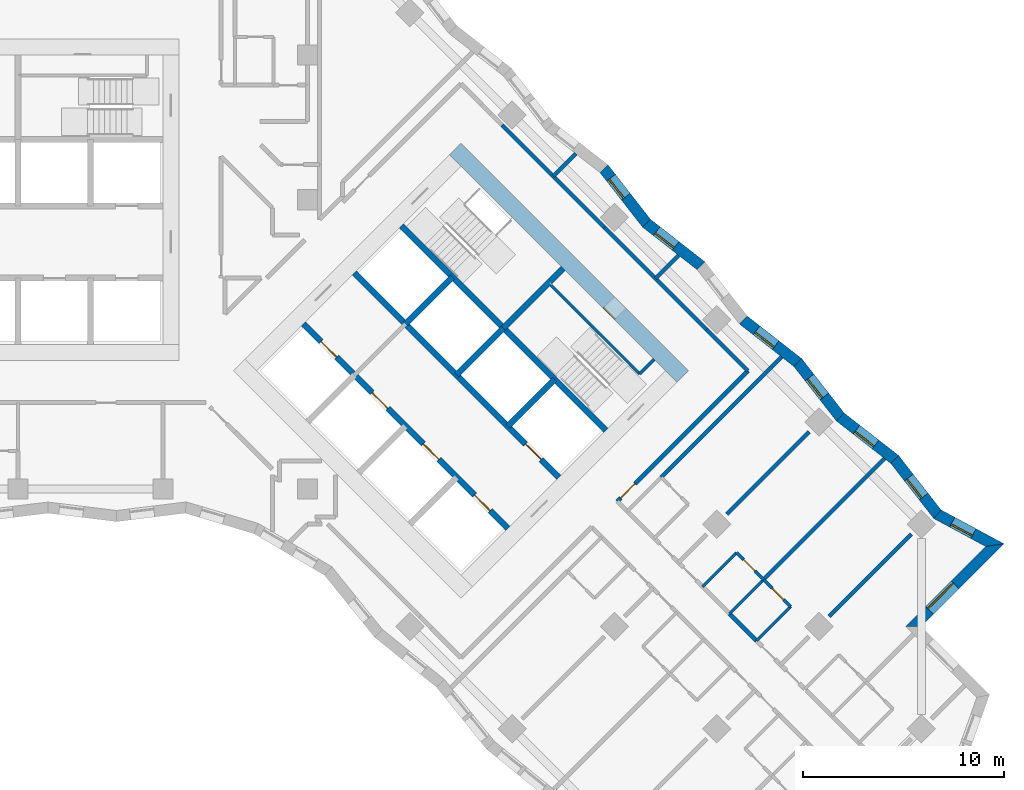
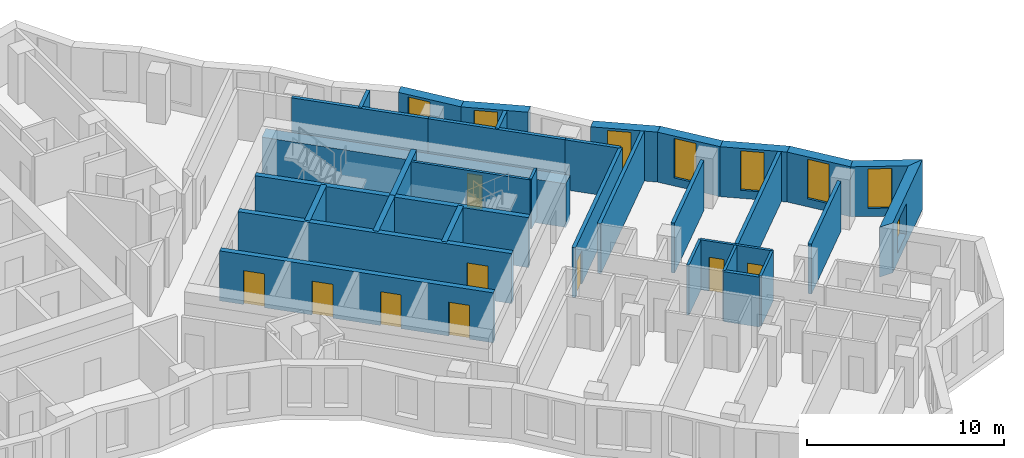
# One storey, part 10 of 13: 35 walls, 9 doors, 8 windows, 17 openings.
"""IFC4 building model written with IfcOpenShell, lengths in metres."""

from ifc_helpers import new_model, si_unit, direction, frame, frame_2d, origin, place, context, subcontext, project, spatial, polyline, rectangle, outline, extrude, material, layer, layer_set, type_object, element, fill, save


model = new_model("IFC4")

# Units and contexts
model_context = context("Model", 3, precision=1e-05, world=origin(), true_north=direction((0.0, 1.0)))
body_context = subcontext(model_context, "Body", "Model", "MODEL_VIEW")
ifc_project = project(units=[si_unit("LENGTHUNIT", "METRE"), si_unit("AREAUNIT", "SQUARE_METRE"), si_unit("VOLUMEUNIT", "CUBIC_METRE"), si_unit("PLANEANGLEUNIT", "RADIAN"), si_unit("MASSUNIT", "GRAM", prefix="KILO")], contexts=[model_context])

# Site, building, storey
site_placement = place(None, origin())
site = spatial("IfcSite", under=ifc_project, at=site_placement, CompositionType="ELEMENT")
building_placement = place(site_placement, origin())
building = spatial("IfcBuilding", under=site, at=building_placement, Name="Windrow Commons", CompositionType="ELEMENT")
storey_placement = place(building_placement, frame((0.0, 0.0, 94.8)))
storey = spatial("IfcBuildingStorey", under=building, at=storey_placement, Name="L25", CompositionType="ELEMENT", Elevation=94.8)

# Wall, opening, window
ifc_material_1 = material(Name="Brick masonry, red clay brick", Category="masonry")
ifc_layer_1 = layer(ifc_material_1, 0.55)
ifc_layer_set_1 = layer_set([ifc_layer_1], Name="Brick facade wall 550")
wall_type_1 = type_object("IfcWallType", Name="Brick facade wall 550", PredefinedType="SOLIDWALL", material=ifc_layer_set_1)
wall_1_placement = place(storey_placement, frame((109.3581, 36.3618, 0.0), z_axis=(0.0, 0.0, 1.0), x_axis=(0.7071067812, 0.7071067812, 0.0)))
wall_1 = element("IfcWall", 1, at=wall_1_placement, inside=storey, type_object=wall_type_1, Name="Brick facade wall L25 6", PredefinedType="SOLIDWALL", context=body_context, shape_type="SweptSolid", body=[
    extrude(outline(polyline([(0.275, -0.275), (6.096, -0.275), (5.3571, 0.275), (-0.275, 0.275), (0.275, -0.275)])), origin(), (0.0, 0.0, 1.0), 3.1),
])
opening_1_placement = place(wall_1_placement, frame((1.1375, 0.0, 0.6)))
opening_1 = element("IfcOpeningElement", 2, at=opening_1_placement, cuts=wall_1, Name="Opening W1L", PredefinedType="OPENING", context=body_context, shape_type="SweptSolid", body=[
    extrude(rectangle(XDim=1.8, YDim=1.9, at=frame_2d((0.9, 0.95))), frame((0.0, 0.285, 0.0), z_axis=(0.0, -1.0, 0.0), x_axis=(1.0, 0.0, 0.0)), (0.0, 0.0, 1.0), 0.57),
])
ifc_material_2 = material(Name="Clear float glass in anodised aluminium frame", Category="aluminium")
window_type_1 = type_object("IfcWindowType", Name="Window W1L bedroom 1800x1900", PartitioningType="SINGLE_PANEL", PredefinedType="WINDOW", material=ifc_material_2)
window_1_placement = place(opening_1_placement, origin())
window_1 = element("IfcWindow", 3, at=window_1_placement, inside=storey, type_object=window_type_1, Name="Window L25 6.1", OverallHeight=1.9, OverallWidth=1.8, PartitioningType="SINGLE_PANEL", PredefinedType="WINDOW", context=body_context, shape_type="SweptSolid", body=[
    extrude(rectangle(XDim=1.8, YDim=1.9, at=frame_2d((0.9, 0.95))), frame((0.0, 0.155, 0.0), z_axis=(0.0, -1.0, 0.0), x_axis=(1.0, 0.0, 0.0)), (0.0, 0.0, 1.0), 0.06),
])
fill(opening_1, window_1)

wall_2_placement = place(storey_placement, frame((113.4074, 40.4111, 0.0), z_axis=(0.0, 0.0, 1.0), x_axis=(-0.8802801365, 0.4744542985, 0.0)))
wall_2 = element("IfcWall", 4, at=wall_2_placement, inside=storey, type_object=wall_type_1, Name="Brick facade wall L25 7", PredefinedType="SOLIDWALL", context=body_context, shape_type="SweptSolid", body=[
    extrude(outline(polyline([(-0.3694, -0.275), (3.1888, -0.275), (3.3042, 0.275), (0.3694, 0.275), (-0.3694, -0.275)])), origin(), (0.0, 0.0, 1.0), 3.1),
])
opening_2_placement = place(wall_2_placement, frame((1.208, 0.0, 0.5)))
opening_2 = element("IfcOpeningElement", 5, at=opening_2_placement, cuts=wall_2, Name="Opening W7D", PredefinedType="OPENING", context=body_context, shape_type="SweptSolid", body=[
    extrude(rectangle(XDim=1.2, YDim=2.45, at=frame_2d((0.6, 1.225))), frame((0.0, 0.285, 0.0), z_axis=(0.0, -1.0, 0.0), x_axis=(1.0, 0.0, 0.0)), (0.0, 0.0, 1.0), 0.57),
])
ifc_material_3 = material(Name="Clear float glass in anodised aluminium frame", Category="aluminium")
window_type_2 = type_object("IfcWindowType", Name="Window W7 notch 1200x2450", PartitioningType="SINGLE_PANEL", PredefinedType="WINDOW", material=ifc_material_3)
window_2_placement = place(opening_2_placement, origin())
window_2 = element("IfcWindow", 6, at=window_2_placement, inside=storey, type_object=window_type_2, Name="Window L25 7.1", OverallHeight=2.45, OverallWidth=1.2, PartitioningType="SINGLE_PANEL", PredefinedType="WINDOW", context=body_context, shape_type="SweptSolid", body=[
    extrude(rectangle(XDim=1.2, YDim=2.45, at=frame_2d((0.6, 1.225))), frame((0.0, 0.155, 0.0), z_axis=(0.0, -1.0, 0.0), x_axis=(1.0, 0.0, 0.0)), (0.0, 0.0, 1.0), 0.06),
])
fill(opening_2, window_2)

wall_3_placement = place(storey_placement, frame((110.5496, 41.9514, 0.0), z_axis=(0.0, 0.0, 1.0), x_axis=(-0.6150990344, 0.7884498576, 0.0)))
wall_3 = element("IfcWall", 7, at=wall_3_placement, inside=storey, type_object=wall_type_1, Name="Brick facade wall L25 8", PredefinedType="SOLIDWALL", context=body_context, shape_type="SweptSolid", body=[
    extrude(outline(polyline([(0.0577, -0.275), (3.4922, -0.275), (3.4243, 0.275), (-0.0577, 0.275), (0.0577, -0.275)])), origin(), (0.0, 0.0, 1.0), 3.1),
])
opening_3_placement = place(wall_3_placement, frame((1.1121, 0.0, 0.5)))
opening_3 = element("IfcOpeningElement", 8, at=opening_3_placement, cuts=wall_3, Name="Opening W7D", PredefinedType="OPENING", context=body_context, shape_type="SweptSolid", body=[
    extrude(rectangle(XDim=1.2, YDim=2.45, at=frame_2d((0.6, 1.225))), frame((0.0, 0.285, 0.0), z_axis=(0.0, -1.0, 0.0), x_axis=(1.0, 0.0, 0.0)), (0.0, 0.0, 1.0), 0.57),
])
window_3_placement = place(opening_3_placement, origin())
window_3 = element("IfcWindow", 9, at=window_3_placement, inside=storey, type_object=window_type_2, Name="Window L25 8.1", OverallHeight=2.45, OverallWidth=1.2, PartitioningType="SINGLE_PANEL", PredefinedType="WINDOW", context=body_context, shape_type="SweptSolid", body=[
    extrude(rectangle(XDim=1.2, YDim=2.45, at=frame_2d((0.6, 1.225))), frame((0.0, 0.155, 0.0), z_axis=(0.0, -1.0, 0.0), x_axis=(1.0, 0.0, 0.0)), (0.0, 0.0, 1.0), 0.06),
])
fill(opening_3, window_3)

wall_4_placement = place(storey_placement, frame((108.4224, 44.6781, 0.0), z_axis=(0.0, 0.0, 1.0), x_axis=(-0.788454577, 0.6150929849, 0.0)))
wall_4 = element("IfcWall", 10, at=wall_4_placement, inside=storey, type_object=wall_type_1, Name="Brick facade wall L25 9", PredefinedType="SOLIDWALL", context=body_context, shape_type="SweptSolid", body=[
    extrude(outline(polyline([(-0.034, -0.275), (3.4005, -0.275), (3.4684, 0.275), (0.034, 0.275), (-0.034, -0.275)])), origin(), (0.0, 0.0, 1.0), 3.1),
])
opening_4_placement = place(wall_4_placement, frame((1.2101, 0.0, 0.5)))
opening_4 = element("IfcOpeningElement", 11, at=opening_4_placement, cuts=wall_4, Name="Opening W7D", PredefinedType="OPENING", context=body_context, shape_type="SweptSolid", body=[
    extrude(rectangle(XDim=1.2, YDim=2.45, at=frame_2d((0.6, 1.225))), frame((0.0, 0.285, 0.0), z_axis=(0.0, -1.0, 0.0), x_axis=(1.0, 0.0, 0.0)), (0.0, 0.0, 1.0), 0.57),
])
window_4_placement = place(opening_4_placement, origin())
window_4 = element("IfcWindow", 12, at=window_4_placement, inside=storey, type_object=window_type_2, Name="Window L25 9.1", OverallHeight=2.45, OverallWidth=1.2, PartitioningType="SINGLE_PANEL", PredefinedType="WINDOW", context=body_context, shape_type="SweptSolid", body=[
    extrude(rectangle(XDim=1.2, YDim=2.45, at=frame_2d((0.6, 1.225))), frame((0.0, 0.155, 0.0), z_axis=(0.0, -1.0, 0.0), x_axis=(1.0, 0.0, 0.0)), (0.0, 0.0, 1.0), 0.06),
])
fill(opening_4, window_4)

wall_5_placement = place(storey_placement, frame((105.7145, 46.7906, 0.0), z_axis=(0.0, 0.0, 1.0), x_axis=(-0.6150788643, 0.7884655926, 0.0)))
wall_5 = element("IfcWall", 13, at=wall_5_placement, inside=storey, type_object=wall_type_1, Name="Brick facade wall L25 10", PredefinedType="SOLIDWALL", context=body_context, shape_type="SweptSolid", body=[
    extrude(outline(polyline([(0.034, -0.275), (3.4684, -0.275), (3.4005, 0.275), (-0.034, 0.275), (0.034, -0.275)])), origin(), (0.0, 0.0, 1.0), 3.1),
])
opening_5_placement = place(wall_5_placement, frame((1.2896, 0.0, 0.5)))
opening_5 = element("IfcOpeningElement", 14, at=opening_5_placement, cuts=wall_5, Name="Opening W7D", PredefinedType="OPENING", context=body_context, shape_type="SweptSolid", body=[
    extrude(rectangle(XDim=1.2, YDim=2.45, at=frame_2d((0.6, 1.225))), frame((0.0, 0.285, 0.0), z_axis=(0.0, -1.0, 0.0), x_axis=(1.0, 0.0, 0.0)), (0.0, 0.0, 1.0), 0.57),
])
window_5_placement = place(opening_5_placement, origin())
window_5 = element("IfcWindow", 15, at=window_5_placement, inside=storey, type_object=window_type_2, Name="Window L25 10.1", OverallHeight=2.45, OverallWidth=1.2, PartitioningType="SINGLE_PANEL", PredefinedType="WINDOW", context=body_context, shape_type="SweptSolid", body=[
    extrude(rectangle(XDim=1.2, YDim=2.45, at=frame_2d((0.6, 1.225))), frame((0.0, 0.155, 0.0), z_axis=(0.0, -1.0, 0.0), x_axis=(1.0, 0.0, 0.0)), (0.0, 0.0, 1.0), 0.06),
])
fill(opening_5, window_5)

wall_6_placement = place(storey_placement, frame((103.602, 49.4986, 0.0), z_axis=(0.0, 0.0, 1.0), x_axis=(-0.788454577, 0.6150929849, 0.0)))
wall_6 = element("IfcWall", 16, at=wall_6_placement, inside=storey, type_object=wall_type_1, Name="Brick facade wall L25 11", PredefinedType="SOLIDWALL", context=body_context, shape_type="SweptSolid", body=[
    extrude(outline(polyline([(-0.034, -0.275), (3.4005, -0.275), (3.4684, 0.275), (0.034, 0.275), (-0.034, -0.275)])), origin(), (0.0, 0.0, 1.0), 3.1),
])
opening_6_placement = place(wall_6_placement, frame((1.403, 0.0, 0.5)))
opening_6 = element("IfcOpeningElement", 17, at=opening_6_placement, cuts=wall_6, Name="Opening W7D", PredefinedType="OPENING", context=body_context, shape_type="SweptSolid", body=[
    extrude(rectangle(XDim=1.2, YDim=2.45, at=frame_2d((0.6, 1.225))), frame((0.0, 0.285, 0.0), z_axis=(0.0, -1.0, 0.0), x_axis=(1.0, 0.0, 0.0)), (0.0, 0.0, 1.0), 0.57),
])
window_6_placement = place(opening_6_placement, origin())
window_6 = element("IfcWindow", 18, at=window_6_placement, inside=storey, type_object=window_type_2, Name="Window L25 11.1", OverallHeight=2.45, OverallWidth=1.2, PartitioningType="SINGLE_PANEL", PredefinedType="WINDOW", context=body_context, shape_type="SweptSolid", body=[
    extrude(rectangle(XDim=1.2, YDim=2.45, at=frame_2d((0.6, 1.225))), frame((0.0, 0.155, 0.0), z_axis=(0.0, -1.0, 0.0), x_axis=(1.0, 0.0, 0.0)), (0.0, 0.0, 1.0), 0.06),
])
fill(opening_6, window_6)

wall_7_placement = place(storey_placement, frame((98.7816, 54.319, 0.0), z_axis=(0.0, 0.0, 1.0), x_axis=(-0.7884655926, 0.6150788643, 0.0)))
wall_7 = element("IfcWall", 19, at=wall_7_placement, inside=storey, type_object=wall_type_1, Name="Brick facade wall L25 13", PredefinedType="SOLIDWALL", context=body_context, shape_type="SweptSolid", body=[
    extrude(outline(polyline([(-0.034, -0.275), (3.4005, -0.275), (3.4684, 0.275), (0.034, 0.275), (-0.034, -0.275)])), origin(), (0.0, 0.0, 1.0), 3.1),
])
opening_7_placement = place(wall_7_placement, frame((1.5959, 0.0, 0.5)))
opening_7 = element("IfcOpeningElement", 20, at=opening_7_placement, cuts=wall_7, Name="Opening W7D", PredefinedType="OPENING", context=body_context, shape_type="SweptSolid", body=[
    extrude(rectangle(XDim=1.2, YDim=2.45, at=frame_2d((0.6, 1.225))), frame((0.0, 0.285, 0.0), z_axis=(0.0, -1.0, 0.0), x_axis=(1.0, 0.0, 0.0)), (0.0, 0.0, 1.0), 0.57),
])
window_7_placement = place(opening_7_placement, origin())
window_7 = element("IfcWindow", 21, at=window_7_placement, inside=storey, type_object=window_type_2, Name="Window L25 13.1", OverallHeight=2.45, OverallWidth=1.2, PartitioningType="SINGLE_PANEL", PredefinedType="WINDOW", context=body_context, shape_type="SweptSolid", body=[
    extrude(rectangle(XDim=1.2, YDim=2.45, at=frame_2d((0.6, 1.225))), frame((0.0, 0.155, 0.0), z_axis=(0.0, -1.0, 0.0), x_axis=(1.0, 0.0, 0.0)), (0.0, 0.0, 1.0), 0.06),
])
fill(opening_7, window_7)

wall_8_placement = place(storey_placement, frame((96.0736, 56.4315, 0.0), z_axis=(0.0, 0.0, 1.0), x_axis=(-0.6150788643, 0.7884655926, 0.0)))
wall_8 = element("IfcWall", 22, at=wall_8_placement, inside=storey, type_object=wall_type_1, Name="Brick facade wall L25 14", PredefinedType="SOLIDWALL", context=body_context, shape_type="SweptSolid", body=[
    extrude(outline(polyline([(0.034, -0.275), (3.4684, -0.275), (3.4005, 0.275), (-0.034, 0.275), (0.034, -0.275)])), origin(), (0.0, 0.0, 1.0), 3.1),
])
opening_8_placement = place(wall_8_placement, frame((1.6754, 0.0, 0.5)))
opening_8 = element("IfcOpeningElement", 23, at=opening_8_placement, cuts=wall_8, Name="Opening W7D", PredefinedType="OPENING", context=body_context, shape_type="SweptSolid", body=[
    extrude(rectangle(XDim=1.2, YDim=2.45, at=frame_2d((0.6, 1.225))), frame((0.0, 0.285, 0.0), z_axis=(0.0, -1.0, 0.0), x_axis=(1.0, 0.0, 0.0)), (0.0, 0.0, 1.0), 0.57),
])
window_8_placement = place(opening_8_placement, origin())
window_8 = element("IfcWindow", 24, at=window_8_placement, inside=storey, type_object=window_type_2, Name="Window L25 14.1", OverallHeight=2.45, OverallWidth=1.2, PartitioningType="SINGLE_PANEL", PredefinedType="WINDOW", context=body_context, shape_type="SweptSolid", body=[
    extrude(rectangle(XDim=1.2, YDim=2.45, at=frame_2d((0.6, 1.225))), frame((0.0, 0.155, 0.0), z_axis=(0.0, -1.0, 0.0), x_axis=(1.0, 0.0, 0.0)), (0.0, 0.0, 1.0), 0.06),
])
fill(opening_8, window_8)

# Wall, opening, door
ifc_material_4 = material(Name="Blockwork partition", Category="masonry")
ifc_layer_2 = layer(ifc_material_4, 0.2)
ifc_layer_set_2 = layer_set([ifc_layer_2], Name="IW-CORRIDOR-200")
wall_type_2 = type_object("IfcWallType", Name="IW-CORRIDOR-200", PredefinedType="PARTITIONING", material=ifc_layer_set_2)
wall_9_placement = place(storey_placement, frame((94.6155, 42.5865, 0.0), z_axis=(0.0, 0.0, 1.0), x_axis=(0.7071067812, 0.7071067812, 0.0)))
wall_9 = element("IfcWall", 25, at=wall_9_placement, inside=storey, type_object=wall_type_2, Name="W-L25-W008", PredefinedType="PARTITIONING", context=body_context, shape_type="SweptSolid", body=[
    extrude(rectangle(XDim=9.198, YDim=0.2, at=frame_2d((4.599, 0.0))), origin(), (0.0, 0.0, 1.0), 3.1),
])
opening_9_placement = place(wall_9_placement, frame((0.2485, 0.0, 0.0)))
opening_9 = element("IfcOpeningElement", 26, at=opening_9_placement, cuts=wall_9, Name="Opening D310F", PredefinedType="OPENING", context=body_context, shape_type="SweptSolid", body=[
    extrude(rectangle(XDim=1.0, YDim=2.1, at=frame_2d((0.5, 1.05))), frame((0.0, 0.11, 0.0), z_axis=(0.0, -1.0, 0.0), x_axis=(1.0, 0.0, 0.0)), (0.0, 0.0, 1.0), 0.22),
])
ifc_material_5 = material(Name="Timber door leaf", Category="wood")
door_type_1 = type_object("IfcDoorType", Name="DT-AMENITY-1000", OperationType="SINGLE_SWING_LEFT", PredefinedType="DOOR", material=ifc_material_5)
door_1_placement = place(opening_9_placement, origin())
door_1 = element("IfcDoor", 27, at=door_1_placement, inside=storey, type_object=door_type_1, Name="D-L25-D047", OperationType="SINGLE_SWING_RIGHT", OverallHeight=2.1, OverallWidth=1.0, PredefinedType="DOOR", context=body_context, shape_type="SweptSolid", body=[
    extrude(rectangle(XDim=1.0, YDim=2.1, at=frame_2d((0.5, 1.05))), frame((0.0, 0.025, 0.0), z_axis=(0.0, -1.0, 0.0), x_axis=(1.0, 0.0, 0.0)), (0.0, 0.0, 1.0), 0.05),
])
fill(opening_9, door_1)

# Walls
wall_10_placement = place(storey_placement, frame((88.8888, 61.3148, 0.0), z_axis=(0.0, 0.0, 1.0), x_axis=(0.7071067812, -0.7071067812, 0.0)))
element("IfcWall", 28, at=wall_10_placement, inside=storey, type_object=wall_type_2, Name="W-L25-W019", PredefinedType="PARTITIONING", context=body_context, shape_type="SweptSolid", body=[
    extrude(rectangle(XDim=7.187, YDim=0.2, at=frame_2d((3.5935, 0.0))), origin(), (0.0, 0.0, 1.0), 3.1),
])
wall_11_placement = place(storey_placement, frame((93.9808, 56.2228, 0.0), z_axis=(0.0, 0.0, 1.0), x_axis=(0.7071067812, -0.7071067812, 0.0)))
element("IfcWall", 29, at=wall_11_placement, inside=storey, type_object=wall_type_2, Name="W-L25-W020", PredefinedType="PARTITIONING", context=body_context, shape_type="SweptSolid", body=[
    extrude(rectangle(XDim=7.1842, YDim=0.2, at=frame_2d((3.5921, 0.0))), origin(), (0.0, 0.0, 1.0), 3.1),
])
wall_12_placement = place(storey_placement, frame((99.0708, 51.1328, 0.0), z_axis=(0.0, 0.0, 1.0), x_axis=(0.7071067812, -0.7071067812, 0.0)))
element("IfcWall", 30, at=wall_12_placement, inside=storey, type_object=wall_type_2, Name="W-L25-W062", PredefinedType="PARTITIONING", context=body_context, shape_type="SweptSolid", body=[
    extrude(rectangle(XDim=2.8935, YDim=0.2, at=frame_2d((1.4467, 0.0))), origin(), (0.0, 0.0, 1.0), 3.1),
])
wall_13_placement = place(storey_placement, frame((100.2008, 36.9968, 0.0), z_axis=(0.0, 0.0, 1.0), x_axis=(0.7076330979, -0.7065800724, 0.0)))
element("IfcWall", 31, at=wall_13_placement, inside=storey, type_object=wall_type_2, Name="W-L25-W147", PredefinedType="PARTITIONING", context=body_context, shape_type="SweptSolid", body=[
    extrude(rectangle(XDim=1.8993, YDim=0.2, at=frame_2d((0.9496, 0.0))), origin(), (0.0, 0.0, 1.0), 3.1),
])
ifc_material_6 = material(Name="Blockwork partition", Category="masonry")
ifc_layer_3 = layer(ifc_material_6, 0.15)
ifc_layer_set_3 = layer_set([ifc_layer_3], Name="IW-ENSUITE-150")
wall_type_3 = type_object("IfcWallType", Name="IW-ENSUITE-150", PredefinedType="PARTITIONING", material=ifc_layer_set_3)
wall_14_placement = place(storey_placement, frame((100.2026, 36.9974, 0.0), z_axis=(0.0, 0.0, 1.0), x_axis=(0.706689978, 0.7075233388, 0.0)))
element("IfcWall", 32, at=wall_14_placement, inside=storey, type_object=wall_type_3, Name="W-L25-W102", PredefinedType="PARTITIONING", context=body_context, shape_type="SweptSolid", body=[
    extrude(rectangle(XDim=2.3999, YDim=0.15, at=frame_2d((1.2, 0.0))), origin(), (0.0, 0.0, 1.0), 3.1),
])
for number, where, z_axis, x_axis, name in (
    (33, (98.8571, 38.3429, 0.0), (0.0, 0.0, 1.0), (0.7071067812, 0.7071067812, 0.0), "W-L25-W107"),
    (34, (101.5451, 35.6569, 0.0), (0.0, 0.0, 1.0), (0.7071067812, 0.7071067812, 0.0), "W-L25-W108"),
):
    element("IfcWall", number, at=place(storey_placement, frame(where, z_axis=z_axis, x_axis=x_axis)), inside=storey, type_object=wall_type_3, Name=name, PredefinedType="PARTITIONING", context=body_context, shape_type="SweptSolid", body=[
        extrude(rectangle(XDim=2.3985, YDim=0.15, at=frame_2d((1.1992, 0.0))), origin(), (0.0, 0.0, 1.0), 3.1),
    ])

# Wall, opening, door
wall_15_placement = place(storey_placement, frame((101.8945, 38.6925, 0.0), z_axis=(0.0, 0.0, 1.0), x_axis=(0.7071067812, -0.7071067812, 0.0)))
wall_15 = element("IfcWall", 35, at=wall_15_placement, inside=storey, type_object=wall_type_3, Name="W-L25-W132", PredefinedType="PARTITIONING", context=body_context, shape_type="SweptSolid", body=[
    extrude(rectangle(XDim=1.9007, YDim=0.15, at=frame_2d((0.9504, 0.0))), origin(), (0.0, 0.0, 1.0), 3.1),
])
opening_10_placement = place(wall_15_placement, frame((0.6075, 0.0, 0.0)))
opening_10 = element("IfcOpeningElement", 36, at=opening_10_placement, cuts=wall_15, Name="Opening D208N", PredefinedType="OPENING", context=body_context, shape_type="SweptSolid", body=[
    extrude(rectangle(XDim=0.8, YDim=2.1, at=frame_2d((0.4, 1.05))), frame((0.0, 0.085, 0.0), z_axis=(0.0, -1.0, 0.0), x_axis=(1.0, 0.0, 0.0)), (0.0, 0.0, 1.0), 0.17),
])
ifc_material_7 = material(Name="Timber door leaf", Category="wood")
door_type_2 = type_object("IfcDoorType", Name="DT-ENSUITE-800", OperationType="SINGLE_SWING_LEFT", PredefinedType="DOOR", material=ifc_material_7)
door_2_placement = place(opening_10_placement, origin())
door_2 = element("IfcDoor", 37, at=door_2_placement, inside=storey, type_object=door_type_2, Name="D-L25-D053", OperationType="SINGLE_SWING_RIGHT", OverallHeight=2.1, OverallWidth=0.8, PredefinedType="DOOR", context=body_context, shape_type="SweptSolid", body=[
    extrude(rectangle(XDim=0.8, YDim=2.1, at=frame_2d((0.4, 1.05))), frame((0.0, 0.025, 0.0), z_axis=(0.0, -1.0, 0.0), x_axis=(1.0, 0.0, 0.0)), (0.0, 0.0, 1.0), 0.05),
])
fill(opening_10, door_2)

wall_16_placement = place(storey_placement, frame((100.5528, 40.0368, 0.0), z_axis=(0.0, 0.0, 1.0), x_axis=(0.7076330979, -0.7065800724, 0.0)))
wall_16 = element("IfcWall", 38, at=wall_16_placement, inside=storey, type_object=wall_type_3, Name="W-L25-W145", PredefinedType="PARTITIONING", context=body_context, shape_type="SweptSolid", body=[
    extrude(rectangle(XDim=1.8993, YDim=0.15, at=frame_2d((0.9496, 0.0))), origin(), (0.0, 0.0, 1.0), 3.1),
])
opening_11_placement = place(wall_16_placement, frame((0.493, 0.0, 0.0)))
opening_11 = element("IfcOpeningElement", 39, at=opening_11_placement, cuts=wall_16, Name="Opening D208N", PredefinedType="OPENING", context=body_context, shape_type="SweptSolid", body=[
    extrude(rectangle(XDim=0.8, YDim=2.1, at=frame_2d((0.4, 1.05))), frame((0.0, 0.085, 0.0), z_axis=(0.0, -1.0, 0.0), x_axis=(1.0, 0.0, 0.0)), (0.0, 0.0, 1.0), 0.17),
])
door_3_placement = place(opening_11_placement, origin())
door_3 = element("IfcDoor", 40, at=door_3_placement, inside=storey, type_object=door_type_2, Name="D-L25-D051", OperationType="SINGLE_SWING_RIGHT", OverallHeight=2.1, OverallWidth=0.8, PredefinedType="DOOR", context=body_context, shape_type="SweptSolid", body=[
    extrude(rectangle(XDim=0.8, YDim=2.1, at=frame_2d((0.4, 1.05))), frame((0.0, 0.025, 0.0), z_axis=(0.0, -1.0, 0.0), x_axis=(1.0, 0.0, 0.0)), (0.0, 0.0, 1.0), 0.05),
])
fill(opening_11, door_3)

# Walls
ifc_material_8 = material(Name="Blockwork partition", Category="masonry")
ifc_layer_4 = layer(ifc_material_8, 0.2)
ifc_layer_set_4 = layer_set([ifc_layer_4], Name="IW-PARTY-200")
wall_type_4 = type_object("IfcWallType", Name="IW-PARTY-200", PredefinedType="PARTITIONING", material=ifc_layer_set_4)
wall_17_placement = place(storey_placement, frame((101.8958, 38.6982, 0.0), z_axis=(0.0, 0.0, 1.0), x_axis=(0.7072241589, 0.706989384, 0.0)))
element("IfcWall", 41, at=wall_17_placement, inside=storey, type_object=wall_type_4, Name="W-L25-W010", PredefinedType="PARTITIONING", context=body_context, shape_type="SweptSolid", body=[
    extrude(rectangle(XDim=8.5188, YDim=0.2, at=frame_2d((4.2594, 0.0))), origin(), (0.0, 0.0, 1.0), 3.1),
])
wall_18_placement = place(storey_placement, frame((96.8054, 43.7866, 0.0), z_axis=(0.0, 0.0, 1.0), x_axis=(0.7071126822, 0.7071008801, 0.0)))
element("IfcWall", 42, at=wall_18_placement, inside=storey, type_object=wall_type_4, Name="W-L25-W011", PredefinedType="PARTITIONING", context=body_context, shape_type="SweptSolid", body=[
    extrude(rectangle(XDim=8.473, YDim=0.2, at=frame_2d((4.2365, 0.0))), origin(), (0.0, 0.0, 1.0), 3.1),
])
for number, where, z_axis, x_axis, name in (
    (43, (105.1552, 36.8628, 0.0), (0.0, 0.0, 1.0), (0.7071067812, 0.7071067812, 0.0), "W-L25-W038"),
    (44, (100.063, 41.953, 0.0), (0.0, 0.0, 1.0), (0.7071067812, 0.7071067812, 0.0), "W-L25-W039"),
):
    element("IfcWall", number, at=place(storey_placement, frame(where, z_axis=z_axis, x_axis=x_axis)), inside=storey, type_object=wall_type_4, Name=name, PredefinedType="PARTITIONING", context=body_context, shape_type="SweptSolid", body=[
        extrude(rectangle(XDim=5.787, YDim=0.2, at=frame_2d((2.8935, 0.0))), origin(), (0.0, 0.0, 1.0), 3.1),
    ])
wall_19_placement = place(storey_placement, frame((96.5233, 53.6867, 0.0), z_axis=(0.0, 0.0, 1.0), x_axis=(0.7070760086, 0.7071375524, 0.0)))
element("IfcWall", 45, at=wall_19_placement, inside=storey, type_object=wall_type_4, Name="W-L25-W160", PredefinedType="PARTITIONING", context=body_context, shape_type="SweptSolid", body=[
    extrude(rectangle(XDim=1.6249, YDim=0.2, at=frame_2d((0.8125, 0.0))), origin(), (0.0, 0.0, 1.0), 3.1),
])
wall_20_placement = place(storey_placement, frame((91.4321, 58.7779, 0.0), z_axis=(0.0, 0.0, 1.0), x_axis=(0.7071067812, 0.7071067812, 0.0)))
element("IfcWall", 46, at=wall_20_placement, inside=storey, type_object=wall_type_4, Name="W-L25-W163", PredefinedType="PARTITIONING", context=body_context, shape_type="SweptSolid", body=[
    extrude(rectangle(XDim=1.5776, YDim=0.2, at=frame_2d((0.7888, 0.0))), origin(), (0.0, 0.0, 1.0), 3.1),
])

# Wall, opening, door
ifc_material_9 = material(Name="Concrete C50/60", Category="concrete")
ifc_layer_5 = layer(ifc_material_9, 0.8)
ifc_layer_set_5 = layer_set([ifc_layer_5], Name="RC CORE WALL 800 C50/60")
wall_type_5 = type_object("IfcWallType", Name="RC CORE WALL 800 C50/60", PredefinedType="SHEAR", material=ifc_layer_set_5)
wall_21_placement = place(storey_placement, frame((86.5539, 60.1206, -0.3), z_axis=(0.0, 0.0, 1.0), x_axis=(0.7071067812, -0.7071067812, 0.0)))
wall_21 = element("IfcWall", 47, at=wall_21_placement, inside=storey, type_object=wall_type_5, Name="Core B wall outer-N", PredefinedType="SHEAR", context=body_context, shape_type="SweptSolid", body=[
    extrude(rectangle(XDim=16.0, YDim=0.8, at=frame_2d((8.0, 0.0))), origin(), (0.0, 0.0, 1.0), 2.7),
])
opening_12_placement = place(wall_21_placement, frame((10.8, 0.0, 0.3)))
opening_12 = element("IfcOpeningElement", 48, at=opening_12_placement, cuts=wall_21, Name="Opening D9", PredefinedType="OPENING", context=body_context, shape_type="SweptSolid", body=[
    extrude(rectangle(XDim=0.8, YDim=2.1, at=frame_2d((0.4, 1.05))), frame((0.0, 0.41, 0.0), z_axis=(0.0, -1.0, 0.0), x_axis=(1.0, 0.0, 0.0)), (0.0, 0.0, 1.0), 0.82),
])
ifc_material_10 = material(Name="Steel fire door leaf", Category="steel")
door_type_3 = type_object("IfcDoorType", Name="Riser access door 800", OperationType="SINGLE_SWING_LEFT", PredefinedType="DOOR", material=ifc_material_10)
door_4_placement = place(opening_12_placement, origin())
door_4 = element("IfcDoor", 49, at=door_4_placement, inside=storey, type_object=door_type_3, Name="Riser access door", OperationType="SINGLE_SWING_RIGHT", OverallHeight=2.1, OverallWidth=0.8, PredefinedType="DOOR", context=body_context, shape_type="SweptSolid", body=[
    extrude(rectangle(XDim=0.8, YDim=2.1, at=frame_2d((0.4, 1.05))), frame((0.0, -0.34, 0.0), z_axis=(0.0, -1.0, 0.0), x_axis=(1.0, 0.0, 0.0)), (0.0, 0.0, 1.0), 0.05),
])
fill(opening_12, door_4)

# Walls
ifc_material_11 = material(Name="Concrete C50/60", Category="concrete")
ifc_layer_6 = layer(ifc_material_11, 0.3)
ifc_layer_set_6 = layer_set([ifc_layer_6], Name="RC SHAFT WALL 300 C50/60")
wall_type_6 = type_object("IfcWallType", Name="RC SHAFT WALL 300 C50/60", PredefinedType="SOLIDWALL", material=ifc_layer_set_6)
wall_22_placement = place(storey_placement, frame((84.079, 51.4232, 0.0), z_axis=(0.0, 0.0, 1.0), x_axis=(0.7071219326, 0.7070916295, 0.0)))
element("IfcWall", 50, at=wall_22_placement, inside=storey, type_object=wall_type_6, Name="Core B wall shaft-N1", PredefinedType="SOLIDWALL", context=body_context, shape_type="SweptSolid", body=[
    extrude(rectangle(XDim=3.3, YDim=0.3, at=frame_2d((1.65, 0.0))), origin(), (0.0, 0.0, 1.0), 3.1),
])
for number, where, z_axis, x_axis, name in (
    (51, (86.6246, 48.8776, 0.0), (0.0, 0.0, 1.0), (0.7071067812, 0.7071067812, 0.0), "Core B wall shaft-N2"),
    (52, (89.1702, 46.332, 0.0), (0.0, 0.0, 1.0), (0.7071067812, 0.7071067812, 0.0), "Core B wall shaft-N3"),
):
    element("IfcWall", number, at=place(storey_placement, frame(where, z_axis=z_axis, x_axis=x_axis)), inside=storey, type_object=wall_type_6, Name=name, PredefinedType="SOLIDWALL", context=body_context, shape_type="SweptSolid", body=[
        extrude(rectangle(XDim=3.3001, YDim=0.3, at=frame_2d((1.6501, 0.0))), origin(), (0.0, 0.0, 1.0), 3.1),
    ])

# Wall, openings, doors
wall_23_placement = place(storey_placement, frame((78.9879, 51.4232, 0.0), z_axis=(0.0, 0.0, 1.0), x_axis=(0.7071067812, -0.7071067812, 0.0)))
wall_23 = element("IfcWall", 53, at=wall_23_placement, inside=storey, type_object=wall_type_6, Name="Core B wall lobby-S", PredefinedType="SOLIDWALL", context=body_context, shape_type="SweptSolid", body=[
    extrude(rectangle(XDim=14.3999, YDim=0.3, at=frame_2d((7.2, 0.0))), origin(), (0.0, 0.0, 1.0), 3.1),
])
opening_13_placement = place(wall_23_placement, frame((1.25, 0.0, 0.0)))
opening_13 = element("IfcOpeningElement", 54, at=opening_13_placement, cuts=wall_23, Name="Opening LD", PredefinedType="OPENING", context=body_context, shape_type="SweptSolid", body=[
    extrude(rectangle(XDim=1.1, YDim=2.1, at=frame_2d((0.55, 1.05))), frame((0.0, 0.16, 0.0), z_axis=(0.0, -1.0, 0.0), x_axis=(1.0, 0.0, 0.0)), (0.0, 0.0, 1.0), 0.32),
])
opening_14_placement = place(wall_23_placement, frame((4.85, 0.0, 0.0)))
opening_14 = element("IfcOpeningElement", 55, at=opening_14_placement, cuts=wall_23, Name="Opening LD", PredefinedType="OPENING", context=body_context, shape_type="SweptSolid", body=[
    extrude(rectangle(XDim=1.1, YDim=2.1, at=frame_2d((0.55, 1.05))), frame((0.0, 0.16, 0.0), z_axis=(0.0, -1.0, 0.0), x_axis=(1.0, 0.0, 0.0)), (0.0, 0.0, 1.0), 0.32),
])
opening_15_placement = place(wall_23_placement, frame((8.45, 0.0, 0.0)))
opening_15 = element("IfcOpeningElement", 56, at=opening_15_placement, cuts=wall_23, Name="Opening LD", PredefinedType="OPENING", context=body_context, shape_type="SweptSolid", body=[
    extrude(rectangle(XDim=1.1, YDim=2.1, at=frame_2d((0.55, 1.05))), frame((0.0, 0.16, 0.0), z_axis=(0.0, -1.0, 0.0), x_axis=(1.0, 0.0, 0.0)), (0.0, 0.0, 1.0), 0.32),
])
opening_16_placement = place(wall_23_placement, frame((12.05, 0.0, 0.0)))
opening_16 = element("IfcOpeningElement", 57, at=opening_16_placement, cuts=wall_23, Name="Opening LD", PredefinedType="OPENING", context=body_context, shape_type="SweptSolid", body=[
    extrude(rectangle(XDim=1.1, YDim=2.1, at=frame_2d((0.55, 1.05))), frame((0.0, 0.16, 0.0), z_axis=(0.0, -1.0, 0.0), x_axis=(1.0, 0.0, 0.0)), (0.0, 0.0, 1.0), 0.32),
])
ifc_material_12 = material(Name="Stainless steel door leaf", Category="steel")
door_type_4 = type_object("IfcDoorType", Name="Lift landing door 1100", OperationType="SLIDING_TO_LEFT", PredefinedType="DOOR", material=ifc_material_12)
door_5_placement = place(opening_13_placement, origin())
door_5 = element("IfcDoor", 58, at=door_5_placement, inside=storey, type_object=door_type_4, Name="Lift landing door", OperationType="SLIDING_TO_LEFT", OverallHeight=2.1, OverallWidth=1.1, PredefinedType="DOOR", context=body_context, shape_type="SweptSolid", body=[
    extrude(rectangle(XDim=1.1, YDim=2.1, at=frame_2d((0.55, 1.05))), frame((0.0, 0.025, 0.0), z_axis=(0.0, -1.0, 0.0), x_axis=(1.0, 0.0, 0.0)), (0.0, 0.0, 1.0), 0.05),
])
fill(opening_13, door_5)
door_6_placement = place(opening_14_placement, origin())
door_6 = element("IfcDoor", 59, at=door_6_placement, inside=storey, type_object=door_type_4, Name="Lift landing door", OperationType="SLIDING_TO_RIGHT", OverallHeight=2.1, OverallWidth=1.1, PredefinedType="DOOR", context=body_context, shape_type="SweptSolid", body=[
    extrude(rectangle(XDim=1.1, YDim=2.1, at=frame_2d((0.55, 1.05))), frame((0.0, 0.025, 0.0), z_axis=(0.0, -1.0, 0.0), x_axis=(1.0, 0.0, 0.0)), (0.0, 0.0, 1.0), 0.05),
])
fill(opening_14, door_6)
door_7_placement = place(opening_15_placement, origin())
door_7 = element("IfcDoor", 60, at=door_7_placement, inside=storey, type_object=door_type_4, Name="Lift landing door", OperationType="SLIDING_TO_LEFT", OverallHeight=2.1, OverallWidth=1.1, PredefinedType="DOOR", context=body_context, shape_type="SweptSolid", body=[
    extrude(rectangle(XDim=1.1, YDim=2.1, at=frame_2d((0.55, 1.05))), frame((0.0, 0.025, 0.0), z_axis=(0.0, -1.0, 0.0), x_axis=(1.0, 0.0, 0.0)), (0.0, 0.0, 1.0), 0.05),
])
fill(opening_15, door_7)
door_8_placement = place(opening_16_placement, origin())
door_8 = element("IfcDoor", 61, at=door_8_placement, inside=storey, type_object=door_type_4, Name="Lift landing door", OperationType="SLIDING_TO_RIGHT", OverallHeight=2.1, OverallWidth=1.1, PredefinedType="DOOR", context=body_context, shape_type="SweptSolid", body=[
    extrude(rectangle(XDim=1.1, YDim=2.1, at=frame_2d((0.55, 1.05))), frame((0.0, 0.025, 0.0), z_axis=(0.0, -1.0, 0.0), x_axis=(1.0, 0.0, 0.0)), (0.0, 0.0, 1.0), 0.05),
])
fill(opening_16, door_8)

# Wall, opening, door
wall_24_placement = place(storey_placement, frame((81.5335, 53.9688, 0.0), z_axis=(0.0, 0.0, 1.0), x_axis=(0.707103309, -0.7071102534, 0.0)))
wall_24 = element("IfcWall", 62, at=wall_24_placement, inside=storey, type_object=wall_type_6, Name="Core B wall lobby-N", PredefinedType="SOLIDWALL", context=body_context, shape_type="SweptSolid", body=[
    extrude(rectangle(XDim=14.4, YDim=0.3, at=frame_2d((7.2, 0.0))), origin(), (0.0, 0.0, 1.0), 3.1),
])
opening_17_placement = place(wall_24_placement, frame((12.05, 0.0, 0.0)))
opening_17 = element("IfcOpeningElement", 63, at=opening_17_placement, cuts=wall_24, Name="Opening LD", PredefinedType="OPENING", context=body_context, shape_type="SweptSolid", body=[
    extrude(rectangle(XDim=1.1, YDim=2.1, at=frame_2d((0.55, 1.05))), frame((0.0, 0.16, 0.0), z_axis=(0.0, -1.0, 0.0), x_axis=(1.0, 0.0, 0.0)), (0.0, 0.0, 1.0), 0.32),
])
door_9_placement = place(opening_17_placement, origin())
door_9 = element("IfcDoor", 64, at=door_9_placement, inside=storey, type_object=door_type_4, Name="Lift landing door", OperationType="SLIDING_TO_RIGHT", OverallHeight=2.1, OverallWidth=1.1, PredefinedType="DOOR", context=body_context, shape_type="SweptSolid", body=[
    extrude(rectangle(XDim=1.1, YDim=2.1, at=frame_2d((0.55, 1.05))), frame((0.0, 0.025, 0.0), z_axis=(0.0, -1.0, 0.0), x_axis=(1.0, 0.0, 0.0)), (0.0, 0.0, 1.0), 0.05),
])
fill(opening_17, door_9)

# Walls
for number, where, z_axis, x_axis, name in (
    (65, (83.8669, 56.3022, 0.0), (0.0, 0.0, 1.0), (0.7071137256, -0.7070998367, 0.0), "Core B wall stair-S"),
    (66, (88.9581, 51.2111, 0.0), (0.0, 0.0, 1.0), (0.7070998367, -0.7071137256, 0.0), "Core B wall stair-S2"),
):
    element("IfcWall", number, at=place(storey_placement, frame(where, z_axis=z_axis, x_axis=x_axis)), inside=storey, type_object=wall_type_6, Name=name, PredefinedType="SOLIDWALL", context=body_context, shape_type="SweptSolid", body=[
        extrude(rectangle(XDim=7.2, YDim=0.3, at=frame_2d((3.6, 0.0))), origin(), (0.0, 0.0, 1.0), 3.1),
    ])
wall_25_placement = place(storey_placement, frame((88.9581, 51.2111, 0.0), z_axis=(0.0, 0.0, 1.0), x_axis=(0.7071067812, 0.7071067812, 0.0)))
element("IfcWall", 67, at=wall_25_placement, inside=storey, type_object=wall_type_6, Name="Core B wall stair-mid", PredefinedType="SOLIDWALL", context=body_context, shape_type="SweptSolid", body=[
    extrude(rectangle(XDim=4.1999, YDim=0.3, at=frame_2d((2.1, 0.0))), origin(), (0.0, 0.0, 1.0), 3.1),
])
ifc_material_13 = material(Name="Blockwork partition", Category="masonry")
ifc_layer_7 = layer(ifc_material_13, 0.15)
ifc_layer_set_7 = layer_set([ifc_layer_7], Name="Riser partition 150")
wall_type_7 = type_object("IfcWallType", Name="Riser partition 150", PredefinedType="PARTITIONING", material=ifc_layer_set_7)
wall_26_placement = place(storey_placement, frame((91.3127, 53.3536, 0.0), z_axis=(0.0, 0.0, 1.0), x_axis=(0.7071147811, -0.7070987812, 0.0)))
element("IfcWall", 68, at=wall_26_placement, inside=storey, type_object=wall_type_7, Name="W-core-strip-B-L25", PredefinedType="PARTITIONING", context=body_context, shape_type="SweptSolid", body=[
    extrude(rectangle(XDim=6.25, YDim=0.15, at=frame_2d((3.125, 0.0))), origin(), (0.0, 0.0, 1.0), 3.1),
])
wall_27_placement = place(storey_placement, frame((95.7322, 48.9342, 0.0), z_axis=(0.0, 0.0, 1.0), x_axis=(0.7071067812, 0.7071067812, 0.0)))
element("IfcWall", 69, at=wall_27_placement, inside=storey, type_object=wall_type_7, Name="W-core-stripx-B-L25-1", PredefinedType="PARTITIONING", context=body_context, shape_type="SweptSolid", body=[
    extrude(rectangle(XDim=1.0199, YDim=0.15, at=frame_2d((0.51, 0.0))), origin(), (0.0, 0.0, 1.0), 3.1),
])

save(model, "model.ifc")
